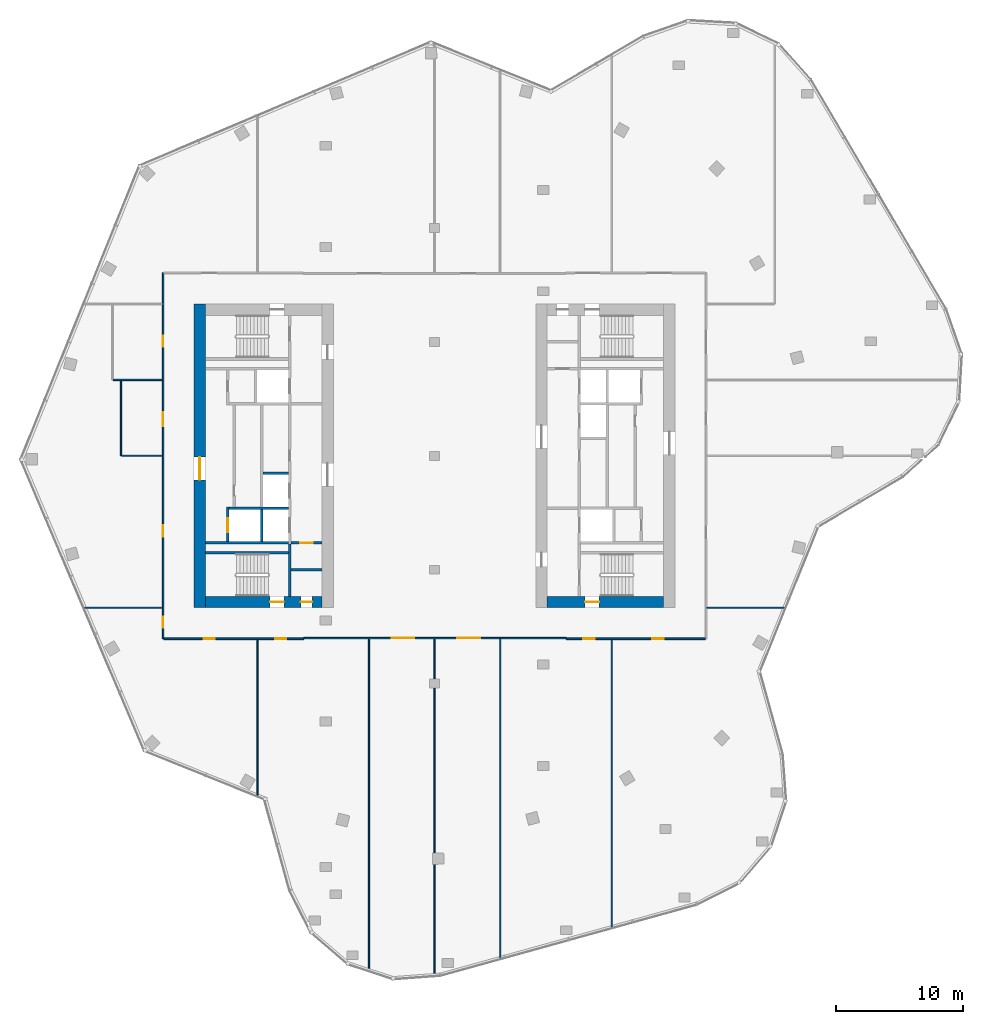
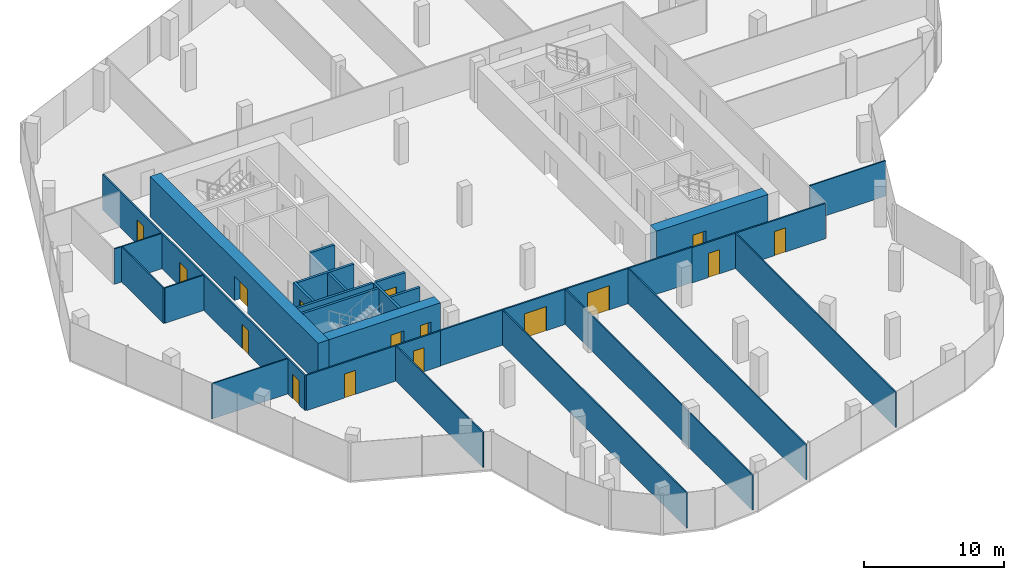
# One storey, part 12 of 16: 26 walls, 16 doors, 16 openings.
"""IFC4 building model written with IfcOpenShell, lengths in metres."""

from ifc_helpers import new_model, si_unit, direction, frame, frame_2d, origin, place, context, subcontext, project, spatial, rectangle, extrude, material, layer, layer_set, type_object, element, fill, save


model = new_model("IFC4")

# Units and contexts
model_context = context("Model", 3, precision=1e-05, world=origin(), true_north=direction((0.0, 1.0)))
body_context = subcontext(model_context, "Body", "Model", "MODEL_VIEW")
ifc_project = project(units=[si_unit("LENGTHUNIT", "METRE"), si_unit("AREAUNIT", "SQUARE_METRE"), si_unit("VOLUMEUNIT", "CUBIC_METRE"), si_unit("PLANEANGLEUNIT", "RADIAN"), si_unit("MASSUNIT", "GRAM", prefix="KILO")], contexts=[model_context])

# Site, building, storey
site_placement = place(None, origin())
site = spatial("IfcSite", under=ifc_project, at=site_placement, CompositionType="ELEMENT")
building_placement = place(site_placement, origin())
building = spatial("IfcBuilding", under=site, at=building_placement, Name="Orlundy Tower", CompositionType="ELEMENT")
storey_placement = place(building_placement, frame((0.0, 0.0, 282.39990234375)))
storey = spatial("IfcBuildingStorey", under=building, at=storey_placement, Name="L75", CompositionType="ELEMENT", Elevation=282.39990234375)

# Wall, openings, doors
ifc_material_1 = material(Name="Concrete C50/60", Category="concrete")
ifc_layer_1 = layer(ifc_material_1, 0.89990234375)
ifc_layer_set_1 = layer_set([ifc_layer_1], Name="CORE WALL 900 C50/60")
wall_type_1 = type_object("IfcWallType", Name="CORE WALL 900 C50/60", PredefinedType="SHEAR", material=ifc_layer_set_1)
wall_1_placement = place(storey_placement, frame((-18.10009765625, -11.550048828125, 0.0), z_axis=(0.0, 0.0, 1.0), x_axis=(1.0, 0.0, 0.0)))
wall_1 = element("IfcWall", 1, at=wall_1_placement, inside=storey, type_object=wall_type_1, Name="Core wall W-S L75", PredefinedType="SHEAR", context=body_context, shape_type="SweptSolid", body=[
    extrude(rectangle(XDim=9.2001953125, YDim=0.89990234375, at=frame_2d((4.60009765625, 0.0))), origin(), (0.0, 0.0, 1.0), 3.5),
])
opening_1_placement = place(wall_1_placement, frame((5.10009765625, 0.0, 0.0)))
opening_1 = element("IfcOpeningElement", 2, at=opening_1_placement, cuts=wall_1, Name="Opening 57012", PredefinedType="OPENING", context=body_context, shape_type="SweptSolid", body=[
    extrude(rectangle(XDim=1.10009765625, YDim=2.10009765625, at=frame_2d((0.550048828125, 1.050048828125))), frame((0.0, 0.4599609375, 0.0), z_axis=(0.0, -1.0, 0.0), x_axis=(1.0, 0.0, 0.0)), (0.0, 0.0, 1.0), 0.919921875),
])
opening_2_placement = place(wall_1_placement, frame((7.530029296875, 0.0, 0.0)))
opening_2 = element("IfcOpeningElement", 3, at=opening_2_placement, cuts=wall_1, Name="Opening 57014", PredefinedType="OPENING", context=body_context, shape_type="SweptSolid", body=[
    extrude(rectangle(XDim=0.89990234375, YDim=2.10009765625, at=frame_2d((0.449951171875, 1.050048828125))), frame((0.0, 0.4599609375, 0.0), z_axis=(0.0, -1.0, 0.0), x_axis=(1.0, 0.0, 0.0)), (0.0, 0.0, 1.0), 0.919921875),
])
ifc_material_2 = material(Name="Timber door set", Category="wood")
door_type_1 = type_object("IfcDoorType", Name="Room Door 900x2100", OperationType="SINGLE_SWING_LEFT", PredefinedType="DOOR", material=ifc_material_2)
door_1_placement = place(opening_2_placement, origin())
door_1 = element("IfcDoor", 4, at=door_1_placement, inside=storey, type_object=door_type_1, Name="Store door 57014", OperationType="SINGLE_SWING_RIGHT", OverallHeight=2.10009765625, OverallWidth=0.89990234375, PredefinedType="DOOR", context=body_context, shape_type="SweptSolid", body=[
    extrude(rectangle(XDim=0.89990234375, YDim=2.10009765625, at=frame_2d((0.449951171875, 1.050048828125))), frame((0.0, 0.02490234375, 0.0), z_axis=(0.0, -1.0, 0.0), x_axis=(1.0, 0.0, 0.0)), (0.0, 0.0, 1.0), 0.050048828125),
])
fill(opening_2, door_1)
ifc_material_3 = material(Name="Steel door set", Category="steel")
door_type_2 = type_object("IfcDoorType", Name="Stair Door 1100x2100", OperationType="SINGLE_SWING_LEFT", PredefinedType="DOOR", material=ifc_material_3)
door_2_placement = place(opening_1_placement, origin())
door_2 = element("IfcDoor", 5, at=door_2_placement, inside=storey, type_object=door_type_2, Name="Stair door 57012", OperationType="SINGLE_SWING_RIGHT", OverallHeight=2.10009765625, OverallWidth=1.10009765625, PredefinedType="DOOR", context=body_context, shape_type="SweptSolid", body=[
    extrude(rectangle(XDim=1.10009765625, YDim=2.10009765625, at=frame_2d((0.550048828125, 1.050048828125))), frame((0.0, 0.02490234375, 0.0), z_axis=(0.0, -1.0, 0.0), x_axis=(1.0, 0.0, 0.0)), (0.0, 0.0, 1.0), 0.050048828125),
])
fill(opening_1, door_2)

# Wall, opening, door
wall_2_placement = place(storey_placement, frame((-18.550048828125, -12.0, 0.0), z_axis=(0.0, 0.0, 1.0), x_axis=(0.0, 1.0, 0.0)))
wall_2 = element("IfcWall", 6, at=wall_2_placement, inside=storey, type_object=wall_type_1, Name="Core wall W-W L75", PredefinedType="SHEAR", context=body_context, shape_type="SweptSolid", body=[
    extrude(rectangle(XDim=24.0, YDim=0.89990234375, at=frame_2d((12.0, 0.0))), origin(), (0.0, 0.0, 1.0), 3.5),
])
opening_3_placement = place(wall_2_placement, frame((10.10009765625, 0.0, 0.0)))
opening_3 = element("IfcOpeningElement", 7, at=opening_3_placement, cuts=wall_2, Name="Opening 57009", PredefinedType="OPENING", context=body_context, shape_type="SweptSolid", body=[
    extrude(rectangle(XDim=1.800048828125, YDim=2.10009765625, at=frame_2d((0.89990234375, 1.050048828125))), frame((0.0, 0.4599609375, 0.0), z_axis=(0.0, -1.0, 0.0), x_axis=(1.0, 0.0, 0.0)), (0.0, 0.0, 1.0), 0.919921875),
])
ifc_material_4 = material(Name="Timber door set", Category="wood")
door_type_3 = type_object("IfcDoorType", Name="Lobby Door 1800x2100", OperationType="DOUBLE_DOOR_DOUBLE_SWING", PredefinedType="DOOR", material=ifc_material_4)
door_3_placement = place(opening_3_placement, origin())
door_3 = element("IfcDoor", 8, at=door_3_placement, inside=storey, type_object=door_type_3, Name="Lift lobby door 57009", OperationType="SINGLE_SWING_LEFT", OverallHeight=2.10009765625, OverallWidth=1.800048828125, PredefinedType="DOOR", context=body_context, shape_type="SweptSolid", body=[
    extrude(rectangle(XDim=1.800048828125, YDim=2.10009765625, at=frame_2d((0.89990234375, 1.050048828125))), frame((0.0, 0.02490234375, 0.0), z_axis=(0.0, -1.0, 0.0), x_axis=(1.0, 0.0, 0.0)), (0.0, 0.0, 1.0), 0.050048828125),
])
fill(opening_3, door_3)

wall_3_placement = place(storey_placement, frame((8.89990234375, -11.550048828125, 0.0), z_axis=(0.0, 0.0, 1.0), x_axis=(1.0, 0.0, 0.0)))
wall_3 = element("IfcWall", 9, at=wall_3_placement, inside=storey, type_object=wall_type_1, Name="Core wall E-S L75", PredefinedType="SHEAR", context=body_context, shape_type="SweptSolid", body=[
    extrude(rectangle(XDim=9.2001953125, YDim=0.89990234375, at=frame_2d((4.60009765625, 0.0))), origin(), (0.0, 0.0, 1.0), 3.5),
])
opening_4_placement = place(wall_3_placement, frame((3.0, 0.0, 0.0)))
opening_4 = element("IfcOpeningElement", 10, at=opening_4_placement, cuts=wall_3, Name="Opening 57060", PredefinedType="OPENING", context=body_context, shape_type="SweptSolid", body=[
    extrude(rectangle(XDim=1.10009765625, YDim=2.10009765625, at=frame_2d((0.550048828125, 1.050048828125))), frame((0.0, 0.4599609375, 0.0), z_axis=(0.0, -1.0, 0.0), x_axis=(1.0, 0.0, 0.0)), (0.0, 0.0, 1.0), 0.919921875),
])
door_4_placement = place(opening_4_placement, origin())
door_4 = element("IfcDoor", 11, at=door_4_placement, inside=storey, type_object=door_type_2, Name="Stair door 57060", OperationType="SINGLE_SWING_LEFT", OverallHeight=2.10009765625, OverallWidth=1.10009765625, PredefinedType="DOOR", context=body_context, shape_type="SweptSolid", body=[
    extrude(rectangle(XDim=1.10009765625, YDim=2.10009765625, at=frame_2d((0.550048828125, 1.050048828125))), frame((0.0, 0.02490234375, 0.0), z_axis=(0.0, -1.0, 0.0), x_axis=(1.0, 0.0, 0.0)), (0.0, 0.0, 1.0), 0.050048828125),
])
fill(opening_4, door_4)

# Walls
ifc_material_5 = material(Name="Gypsum board partition")
ifc_layer_2 = layer(ifc_material_5, 0.10009765625)
ifc_layer_set_2 = layer_set([ifc_layer_2], Name="Floor partition 100")
wall_type_2 = type_object("IfcWallType", Name="Floor partition 100", PredefinedType="PARTITIONING", material=ifc_layer_set_2)
wall_4_placement = place(storey_placement, frame((-27.76904296875, -12.0, 0.0), z_axis=(0.0, 0.0, 1.0), x_axis=(1.0, 0.0, 0.0)))
element("IfcWall", 12, at=wall_4_placement, inside=storey, type_object=wall_type_2, Name="wall-int-L75-004", PredefinedType="PARTITIONING", context=body_context, shape_type="SweptSolid", body=[
    extrude(rectangle(XDim=6.257080078125, YDim=0.10009765625, at=frame_2d((3.12841796875, 0.0))), origin(), (0.0, 0.0, 1.0), 3.080078125),
])
wall_5_placement = place(storey_placement, frame((21.511962890625, -12.0, 0.0), z_axis=(0.0, 0.0, 1.0), x_axis=(1.0, 0.0, 0.0)))
element("IfcWall", 13, at=wall_5_placement, inside=storey, type_object=wall_type_2, Name="wall-int-L75-005", PredefinedType="PARTITIONING", context=body_context, shape_type="SweptSolid", body=[
    extrude(rectangle(XDim=6.26611328125, YDim=0.10009765625, at=frame_2d((3.133056640625, 0.0))), origin(), (0.0, 0.0, 1.0), 3.080078125),
])
wall_6_placement = place(storey_placement, frame((-24.73095703125, 0.0009765625, 0.0), z_axis=(0.0, 0.0, 1.0), x_axis=(1.0, 0.0, 0.0)))
element("IfcWall", 14, at=wall_6_placement, inside=storey, type_object=wall_type_2, Name="wall-int-L75-006", PredefinedType="PARTITIONING", context=body_context, shape_type="SweptSolid", body=[
    extrude(rectangle(XDim=3.218994140625, YDim=0.10009765625, at=frame_2d((1.609375, 0.0))), origin(), (0.0, 0.0, 1.0), 3.080078125),
])
wall_7_placement = place(storey_placement, frame((-25.39794921875, 6.0009765625, 0.0), z_axis=(0.0, 0.0, 1.0), x_axis=(1.0, 0.0, 0.0)))
element("IfcWall", 15, at=wall_7_placement, inside=storey, type_object=wall_type_2, Name="wall-int-L75-008", PredefinedType="PARTITIONING", context=body_context, shape_type="SweptSolid", body=[
    extrude(rectangle(XDim=3.885986328125, YDim=0.10009765625, at=frame_2d((1.94287109375, 0.0))), origin(), (0.0, 0.0, 1.0), 3.080078125),
])
wall_8_placement = place(storey_placement, frame((14.0, -37.366943359375, 0.0), z_axis=(0.0, 0.0, 1.0), x_axis=(0.0, 1.0, 0.0)))
element("IfcWall", 16, at=wall_8_placement, inside=storey, type_object=wall_type_2, Name="wall-int-L75-017", PredefinedType="PARTITIONING", context=body_context, shape_type="SweptSolid", body=[
    extrude(rectangle(XDim=22.85302734375, YDim=0.10009765625, at=frame_2d((11.426513671875, 0.0))), origin(), (0.0, 0.0, 1.0), 3.080078125),
])
wall_9_placement = place(storey_placement, frame((5.196044921875, -39.80810546875, 0.0), z_axis=(0.0, 0.0, 1.0), x_axis=(0.0, 1.0, 0.0)))
element("IfcWall", 17, at=wall_9_placement, inside=storey, type_object=wall_type_2, Name="wall-int-L75-019", PredefinedType="PARTITIONING", context=body_context, shape_type="SweptSolid", body=[
    extrude(rectangle(XDim=25.34521484375, YDim=0.10009765625, at=frame_2d((12.672607421875, 0.0))), origin(), (0.0, 0.0, 1.0), 3.080078125),
])
wall_10_placement = place(storey_placement, frame((0.0, -41.152099609375, 0.0), z_axis=(0.0, 0.0, 1.0), x_axis=(0.0, 1.0, 0.0)))
element("IfcWall", 18, at=wall_10_placement, inside=storey, type_object=wall_type_2, Name="wall-int-L75-021", PredefinedType="PARTITIONING", context=body_context, shape_type="SweptSolid", body=[
    extrude(rectangle(XDim=26.689208984375, YDim=0.10009765625, at=frame_2d((13.3447265625, 0.0))), origin(), (0.0, 0.0, 1.0), 3.080078125),
])
wall_11_placement = place(storey_placement, frame((-5.174072265625, -40.77587890625, 0.0), z_axis=(0.0, 0.0, 1.0), x_axis=(0.0, 1.0, 0.0)))
element("IfcWall", 19, at=wall_11_placement, inside=storey, type_object=wall_type_2, Name="wall-int-L75-023", PredefinedType="PARTITIONING", context=body_context, shape_type="SweptSolid", body=[
    extrude(rectangle(XDim=26.31298828125, YDim=0.10009765625, at=frame_2d((13.156494140625, 0.0))), origin(), (0.0, 0.0, 1.0), 3.080078125),
])
wall_12_placement = place(storey_placement, frame((-14.0, -26.968994140625, 0.0), z_axis=(0.0, 0.0, 1.0), x_axis=(0.0, 1.0, 0.0)))
element("IfcWall", 20, at=wall_12_placement, inside=storey, type_object=wall_type_2, Name="wall-int-L75-024", PredefinedType="PARTITIONING", context=body_context, shape_type="SweptSolid", body=[
    extrude(rectangle(XDim=12.455078125, YDim=0.10009765625, at=frame_2d((6.2275390625, 0.0))), origin(), (0.0, 0.0, 1.0), 3.080078125),
])
wall_13_placement = place(storey_placement, frame((-24.781982421875, 0.001953125, 0.0), z_axis=(0.0, 0.0, 1.0), x_axis=(0.0, 1.0, 0.0)))
element("IfcWall", 21, at=wall_13_placement, inside=storey, type_object=wall_type_2, Name="wall-int-L75-027", PredefinedType="PARTITIONING", context=body_context, shape_type="SweptSolid", body=[
    extrude(rectangle(XDim=5.948974609375, YDim=0.10009765625, at=frame_2d((2.974609375, 0.0))), origin(), (0.0, 0.0, 1.0), 3.080078125),
])

# Wall, openings, doors
ifc_material_6 = material(Name="Gypsum board partition, double layer")
ifc_layer_3 = layer(ifc_material_6, 0.125)
ifc_layer_set_3 = layer_set([ifc_layer_3], Name="Floor partition 125")
wall_type_3 = type_object("IfcWallType", Name="Floor partition 125", PredefinedType="PARTITIONING", material=ifc_layer_set_3)
wall_14_placement = place(storey_placement, frame((-10.35009765625, -14.450927734375, 0.0), z_axis=(0.0, 0.0, 1.0), x_axis=(-1.0, 0.0, 0.0)))
wall_14 = element("IfcWall", 22, at=wall_14_placement, inside=storey, type_object=wall_type_3, Name="wall-int-L75-001", PredefinedType="PARTITIONING", context=body_context, shape_type="SweptSolid", body=[
    extrude(rectangle(XDim=11.036865234375, YDim=0.125, at=frame_2d((5.5185546875, 0.0))), origin(), (0.0, 0.0, 1.0), 3.080078125),
])
opening_5_placement = place(wall_14_placement, frame((7.0, 0.0, 0.0)))
opening_5 = element("IfcOpeningElement", 23, at=opening_5_placement, cuts=wall_14, Name="Opening 57102", PredefinedType="OPENING", context=body_context, shape_type="SweptSolid", body=[
    extrude(rectangle(XDim=0.89990234375, YDim=2.10009765625, at=frame_2d((0.449951171875, 1.050048828125))), frame((0.0, 0.072509765625, 0.0), z_axis=(0.0, -1.0, 0.0), x_axis=(1.0, 0.0, 0.0)), (0.0, 0.0, 1.0), 0.14501953125),
])
opening_6_placement = place(wall_14_placement, frame((1.35009765625, 0.0, 0.0)))
opening_6 = element("IfcOpeningElement", 24, at=opening_6_placement, cuts=wall_14, Name="Opening 57103", PredefinedType="OPENING", context=body_context, shape_type="SweptSolid", body=[
    extrude(rectangle(XDim=0.89990234375, YDim=2.10009765625, at=frame_2d((0.449951171875, 1.050048828125))), frame((0.0, 0.072509765625, 0.0), z_axis=(0.0, -1.0, 0.0), x_axis=(1.0, 0.0, 0.0)), (0.0, 0.0, 1.0), 0.14501953125),
])
ifc_material_7 = material(Name="Timber door leaf", Category="wood")
door_type_4 = type_object("IfcDoorType", Name="Floor door single 900 FD30S", OperationType="NOTDEFINED", PredefinedType="DOOR", material=ifc_material_7)
door_5_placement = place(opening_5_placement, origin())
door_5 = element("IfcDoor", 25, at=door_5_placement, inside=storey, type_object=door_type_4, Name="Door 57102", OperationType="SINGLE_SWING_RIGHT", OverallHeight=2.10009765625, OverallWidth=0.89990234375, PredefinedType="DOOR", context=body_context, shape_type="SweptSolid", body=[
    extrude(rectangle(XDim=0.89990234375, YDim=2.10009765625, at=frame_2d((0.449951171875, 1.050048828125))), frame((0.0, 0.02490234375, 0.0), z_axis=(0.0, -1.0, 0.0), x_axis=(1.0, 0.0, 0.0)), (0.0, 0.0, 1.0), 0.050048828125),
])
fill(opening_5, door_5)
door_6_placement = place(opening_6_placement, origin())
door_6 = element("IfcDoor", 26, at=door_6_placement, inside=storey, type_object=door_type_4, Name="Door 57103", OperationType="SINGLE_SWING_LEFT", OverallHeight=2.10009765625, OverallWidth=0.89990234375, PredefinedType="DOOR", context=body_context, shape_type="SweptSolid", body=[
    extrude(rectangle(XDim=0.89990234375, YDim=2.10009765625, at=frame_2d((0.449951171875, 1.050048828125))), frame((0.0, 0.02490234375, 0.0), z_axis=(0.0, -1.0, 0.0), x_axis=(1.0, 0.0, 0.0)), (0.0, 0.0, 1.0), 0.050048828125),
])
fill(opening_6, door_6)

wall_15_placement = place(storey_placement, frame((21.386962890625, -14.450927734375, 0.0), z_axis=(0.0, 0.0, 1.0), x_axis=(-1.0, 0.0, 0.0)))
wall_15 = element("IfcWall", 27, at=wall_15_placement, inside=storey, type_object=wall_type_3, Name="wall-int-L75-002", PredefinedType="PARTITIONING", context=body_context, shape_type="SweptSolid", body=[
    extrude(rectangle(XDim=10.995849609375, YDim=0.125, at=frame_2d((5.498046875, 0.0))), origin(), (0.0, 0.0, 1.0), 3.080078125),
])
opening_7_placement = place(wall_15_placement, frame((8.737548828125, 0.0, 0.0)))
opening_7 = element("IfcOpeningElement", 28, at=opening_7_placement, cuts=wall_15, Name="Opening 57106", PredefinedType="OPENING", context=body_context, shape_type="SweptSolid", body=[
    extrude(rectangle(XDim=0.89990234375, YDim=2.10009765625, at=frame_2d((0.449951171875, 1.050048828125))), frame((0.0, 0.072509765625, 0.0), z_axis=(0.0, -1.0, 0.0), x_axis=(1.0, 0.0, 0.0)), (0.0, 0.0, 1.0), 0.14501953125),
])
opening_8_placement = place(wall_15_placement, frame((3.28759765625, 0.0, 0.0)))
opening_8 = element("IfcOpeningElement", 29, at=opening_8_placement, cuts=wall_15, Name="Opening 57107", PredefinedType="OPENING", context=body_context, shape_type="SweptSolid", body=[
    extrude(rectangle(XDim=0.89990234375, YDim=2.10009765625, at=frame_2d((0.449951171875, 1.050048828125))), frame((0.0, 0.072509765625, 0.0), z_axis=(0.0, -1.0, 0.0), x_axis=(1.0, 0.0, 0.0)), (0.0, 0.0, 1.0), 0.14501953125),
])
door_7_placement = place(opening_7_placement, origin())
door_7 = element("IfcDoor", 30, at=door_7_placement, inside=storey, type_object=door_type_4, Name="Door 57106", OperationType="SINGLE_SWING_RIGHT", OverallHeight=2.10009765625, OverallWidth=0.89990234375, PredefinedType="DOOR", context=body_context, shape_type="SweptSolid", body=[
    extrude(rectangle(XDim=0.89990234375, YDim=2.10009765625, at=frame_2d((0.449951171875, 1.050048828125))), frame((0.0, 0.02490234375, 0.0), z_axis=(0.0, -1.0, 0.0), x_axis=(1.0, 0.0, 0.0)), (0.0, 0.0, 1.0), 0.050048828125),
])
fill(opening_7, door_7)
door_8_placement = place(opening_8_placement, origin())
door_8 = element("IfcDoor", 31, at=door_8_placement, inside=storey, type_object=door_type_4, Name="Door 57107", OperationType="SINGLE_SWING_LEFT", OverallHeight=2.10009765625, OverallWidth=0.89990234375, PredefinedType="DOOR", context=body_context, shape_type="SweptSolid", body=[
    extrude(rectangle(XDim=0.89990234375, YDim=2.10009765625, at=frame_2d((0.449951171875, 1.050048828125))), frame((0.0, 0.02490234375, 0.0), z_axis=(0.0, -1.0, 0.0), x_axis=(1.0, 0.0, 0.0)), (0.0, 0.0, 1.0), 0.050048828125),
])
fill(opening_8, door_8)

wall_16_placement = place(storey_placement, frame((10.39111328125, -14.40087890625, 0.0), z_axis=(0.0, 0.0, 1.0), x_axis=(-1.0, 0.0, 0.0)))
wall_16 = element("IfcWall", 32, at=wall_16_placement, inside=storey, type_object=wall_type_3, Name="wall-int-L75-003", PredefinedType="PARTITIONING", context=body_context, shape_type="SweptSolid", body=[
    extrude(rectangle(XDim=20.740234375, YDim=0.125, at=frame_2d((10.3701171875, 0.0))), origin(), (0.0, 0.0, 1.0), 3.080078125),
])
opening_9_placement = place(wall_16_placement, frame((11.990966796875, 0.0, 0.0)))
opening_9 = element("IfcOpeningElement", 33, at=opening_9_placement, cuts=wall_16, Name="Opening 57104", PredefinedType="OPENING", context=body_context, shape_type="SweptSolid", body=[
    extrude(rectangle(XDim=1.800048828125, YDim=2.10009765625, at=frame_2d((0.89990234375, 1.050048828125))), frame((0.0, 0.072509765625, 0.0), z_axis=(0.0, -1.0, 0.0), x_axis=(1.0, 0.0, 0.0)), (0.0, 0.0, 1.0), 0.14501953125),
])
opening_10_placement = place(wall_16_placement, frame((6.794921875, 0.0, 0.0)))
opening_10 = element("IfcOpeningElement", 34, at=opening_10_placement, cuts=wall_16, Name="Opening 57105", PredefinedType="OPENING", context=body_context, shape_type="SweptSolid", body=[
    extrude(rectangle(XDim=1.800048828125, YDim=2.10009765625, at=frame_2d((0.89990234375, 1.050048828125))), frame((0.0, 0.072509765625, 0.0), z_axis=(0.0, -1.0, 0.0), x_axis=(1.0, 0.0, 0.0)), (0.0, 0.0, 1.0), 0.14501953125),
])
ifc_material_8 = material(Name="Timber door leaf", Category="wood")
door_type_5 = type_object("IfcDoorType", Name="Floor door double 1800 FD30S", OperationType="NOTDEFINED", PredefinedType="DOOR", material=ifc_material_8)
door_9_placement = place(opening_9_placement, origin())
door_9 = element("IfcDoor", 35, at=door_9_placement, inside=storey, type_object=door_type_5, Name="Door 57104", OperationType="DOUBLE_DOOR_SINGLE_SWING", OverallHeight=2.10009765625, OverallWidth=1.800048828125, PredefinedType="DOOR", context=body_context, shape_type="SweptSolid", body=[
    extrude(rectangle(XDim=1.800048828125, YDim=2.10009765625, at=frame_2d((0.89990234375, 1.050048828125))), frame((0.0, 0.02490234375, 0.0), z_axis=(0.0, -1.0, 0.0), x_axis=(1.0, 0.0, 0.0)), (0.0, 0.0, 1.0), 0.050048828125),
])
fill(opening_9, door_9)
door_10_placement = place(opening_10_placement, origin())
door_10 = element("IfcDoor", 36, at=door_10_placement, inside=storey, type_object=door_type_5, Name="Door 57105", OperationType="DOUBLE_DOOR_SINGLE_SWING", OverallHeight=2.10009765625, OverallWidth=1.800048828125, PredefinedType="DOOR", context=body_context, shape_type="SweptSolid", body=[
    extrude(rectangle(XDim=1.800048828125, YDim=2.10009765625, at=frame_2d((0.89990234375, 1.050048828125))), frame((0.0, 0.02490234375, 0.0), z_axis=(0.0, -1.0, 0.0), x_axis=(1.0, 0.0, 0.0)), (0.0, 0.0, 1.0), 0.050048828125),
])
fill(opening_10, door_10)

wall_17_placement = place(storey_placement, frame((-21.449951171875, -14.450927734375, 0.0), z_axis=(0.0, 0.0, 1.0), x_axis=(0.0, 1.0, 0.0)))
wall_17 = element("IfcWall", 37, at=wall_17_placement, inside=storey, type_object=wall_type_3, Name="wall-int-L75-026", PredefinedType="PARTITIONING", context=body_context, shape_type="SweptSolid", body=[
    extrude(rectangle(XDim=28.90185546875, YDim=0.125, at=frame_2d((14.450927734375, 0.0))), origin(), (0.0, 0.0, 1.0), 3.080078125),
])
opening_11_placement = place(wall_17_placement, frame((8.051025390625, 0.0, 0.0)))
opening_11 = element("IfcOpeningElement", 38, at=opening_11_placement, cuts=wall_17, Name="Opening 57100", PredefinedType="OPENING", context=body_context, shape_type="SweptSolid", body=[
    extrude(rectangle(XDim=0.89990234375, YDim=2.10009765625, at=frame_2d((0.449951171875, 1.050048828125))), frame((0.0, 0.072509765625, 0.0), z_axis=(0.0, -1.0, 0.0), x_axis=(1.0, 0.0, 0.0)), (0.0, 0.0, 1.0), 0.14501953125),
])
opening_12_placement = place(wall_17_placement, frame((0.85009765625, 0.0, 0.0)))
opening_12 = element("IfcOpeningElement", 39, at=opening_12_placement, cuts=wall_17, Name="Opening 57101", PredefinedType="OPENING", context=body_context, shape_type="SweptSolid", body=[
    extrude(rectangle(XDim=0.89990234375, YDim=2.10009765625, at=frame_2d((0.449951171875, 1.050048828125))), frame((0.0, 0.072509765625, 0.0), z_axis=(0.0, -1.0, 0.0), x_axis=(1.0, 0.0, 0.0)), (0.0, 0.0, 1.0), 0.14501953125),
])
opening_13_placement = place(wall_17_placement, frame((23.052001953125, 0.0, 0.0)))
opening_13 = element("IfcOpeningElement", 40, at=opening_13_placement, cuts=wall_17, Name="Opening 57116", PredefinedType="OPENING", context=body_context, shape_type="SweptSolid", body=[
    extrude(rectangle(XDim=0.89990234375, YDim=2.10009765625, at=frame_2d((0.449951171875, 1.050048828125))), frame((0.0, 0.072509765625, 0.0), z_axis=(0.0, -1.0, 0.0), x_axis=(1.0, 0.0, 0.0)), (0.0, 0.0, 1.0), 0.14501953125),
])
opening_14_placement = place(wall_17_placement, frame((16.802978515625, 0.0, 0.0)))
opening_14 = element("IfcOpeningElement", 41, at=opening_14_placement, cuts=wall_17, Name="Opening 57117", PredefinedType="OPENING", context=body_context, shape_type="SweptSolid", body=[
    extrude(rectangle(XDim=1.10009765625, YDim=2.10009765625, at=frame_2d((0.550048828125, 1.050048828125))), frame((0.0, 0.072509765625, 0.0), z_axis=(0.0, -1.0, 0.0), x_axis=(1.0, 0.0, 0.0)), (0.0, 0.0, 1.0), 0.14501953125),
])
door_11_placement = place(opening_11_placement, origin())
door_11 = element("IfcDoor", 42, at=door_11_placement, inside=storey, type_object=door_type_4, Name="Door 57100", OperationType="SINGLE_SWING_LEFT", OverallHeight=2.10009765625, OverallWidth=0.89990234375, PredefinedType="DOOR", context=body_context, shape_type="SweptSolid", body=[
    extrude(rectangle(XDim=0.89990234375, YDim=2.10009765625, at=frame_2d((0.449951171875, 1.050048828125))), frame((0.0, 0.02490234375, 0.0), z_axis=(0.0, -1.0, 0.0), x_axis=(1.0, 0.0, 0.0)), (0.0, 0.0, 1.0), 0.050048828125),
])
fill(opening_11, door_11)
door_12_placement = place(opening_12_placement, origin())
door_12 = element("IfcDoor", 43, at=door_12_placement, inside=storey, type_object=door_type_4, Name="Door 57101", OperationType="SINGLE_SWING_LEFT", OverallHeight=2.10009765625, OverallWidth=0.89990234375, PredefinedType="DOOR", context=body_context, shape_type="SweptSolid", body=[
    extrude(rectangle(XDim=0.89990234375, YDim=2.10009765625, at=frame_2d((0.449951171875, 1.050048828125))), frame((0.0, 0.02490234375, 0.0), z_axis=(0.0, -1.0, 0.0), x_axis=(1.0, 0.0, 0.0)), (0.0, 0.0, 1.0), 0.050048828125),
])
fill(opening_12, door_12)
door_13_placement = place(opening_13_placement, origin())
door_13 = element("IfcDoor", 44, at=door_13_placement, inside=storey, type_object=door_type_4, Name="Door 57116", OperationType="SINGLE_SWING_RIGHT", OverallHeight=2.10009765625, OverallWidth=0.89990234375, PredefinedType="DOOR", context=body_context, shape_type="SweptSolid", body=[
    extrude(rectangle(XDim=0.89990234375, YDim=2.10009765625, at=frame_2d((0.449951171875, 1.050048828125))), frame((0.0, 0.02490234375, 0.0), z_axis=(0.0, -1.0, 0.0), x_axis=(1.0, 0.0, 0.0)), (0.0, 0.0, 1.0), 0.050048828125),
])
fill(opening_13, door_13)
ifc_material_9 = material(Name="Timber door leaf", Category="wood")
door_type_6 = type_object("IfcDoorType", Name="Floor door xwide 1100 FD30S", OperationType="NOTDEFINED", PredefinedType="DOOR", material=ifc_material_9)
door_14_placement = place(opening_14_placement, origin())
door_14 = element("IfcDoor", 45, at=door_14_placement, inside=storey, type_object=door_type_6, Name="Door 57117", OperationType="SINGLE_SWING_RIGHT", OverallHeight=2.10009765625, OverallWidth=1.10009765625, PredefinedType="DOOR", context=body_context, shape_type="SweptSolid", body=[
    extrude(rectangle(XDim=1.10009765625, YDim=2.10009765625, at=frame_2d((0.550048828125, 1.050048828125))), frame((0.0, 0.02490234375, 0.0), z_axis=(0.0, -1.0, 0.0), x_axis=(1.0, 0.0, 0.0)), (0.0, 0.0, 1.0), 0.050048828125),
])
fill(opening_14, door_14)

# Walls
ifc_material_10 = material(Name="Concrete C40/50", Category="concrete")
ifc_layer_4 = layer(ifc_material_10, 0.199951171875)
ifc_layer_set_4 = layer_set([ifc_layer_4], Name="Load-bearing Shaft Wall 200")
wall_type_4 = type_object("IfcWallType", Name="Load-bearing Shaft Wall 200", PredefinedType="SOLIDWALL", material=ifc_layer_set_4)
wall_18_placement = place(storey_placement, frame((-11.43994140625, -11.10009765625, 0.0), z_axis=(0.0, 0.0, 1.0), x_axis=(0.0, 1.0, 0.0)))
element("IfcWall", 46, at=wall_18_placement, inside=storey, type_object=wall_type_4, Name="Shaft wall W57-stair-end-s", PredefinedType="SOLIDWALL", context=body_context, shape_type="SweptSolid", body=[
    extrude(rectangle(XDim=4.125, YDim=0.199951171875, at=frame_2d((2.0625, 0.0))), origin(), (0.0, 0.0, 1.0), 3.090087890625),
])
wall_19_placement = place(storey_placement, frame((-11.5400390625, -7.64990234375, 0.0), z_axis=(0.0, 0.0, 1.0), x_axis=(-1.0, 0.0, 0.0)))
element("IfcWall", 47, at=wall_19_placement, inside=storey, type_object=wall_type_4, Name="Shaft wall W57-stair-side-s", PredefinedType="SOLIDWALL", context=body_context, shape_type="SweptSolid", body=[
    extrude(rectangle(XDim=6.56005859375, YDim=0.199951171875, at=frame_2d((3.280029296875, 0.0))), origin(), (0.0, 0.0, 1.0), 3.090087890625),
])

# Wall, opening, door
ifc_material_11 = material(Name="Gypsum board partition on steel studs", Category="steel")
ifc_layer_5 = layer(ifc_material_11, 0.199951171875)
ifc_layer_set_5 = layer_set([ifc_layer_5], Name="Partition 200")
wall_type_5 = type_object("IfcWallType", Name="Partition 200", PredefinedType="PARTITIONING", material=ifc_layer_set_5)
wall_20_placement = place(storey_placement, frame((-8.89990234375, -6.875, 0.0), z_axis=(0.0, 0.0, 1.0), x_axis=(-1.0, 0.0, 0.0)))
wall_20 = element("IfcWall", 48, at=wall_20_placement, inside=storey, type_object=wall_type_5, Name="Partition wall W57-end-s", PredefinedType="PARTITIONING", context=body_context, shape_type="SweptSolid", body=[
    extrude(rectangle(XDim=2.440185546875, YDim=0.199951171875, at=frame_2d((1.22021484375, 0.0))), origin(), (0.0, 0.0, 1.0), 3.090087890625),
])
opening_15_placement = place(wall_20_placement, frame((0.719970703125, 0.0, 0.0)))
opening_15 = element("IfcOpeningElement", 49, at=opening_15_placement, cuts=wall_20, Name="Opening 57015", PredefinedType="OPENING", context=body_context, shape_type="SweptSolid", body=[
    extrude(rectangle(XDim=1.0, YDim=2.10009765625, at=frame_2d((0.5, 1.050048828125))), frame((0.0, 0.110107421875, 0.0), z_axis=(0.0, -1.0, 0.0), x_axis=(1.0, 0.0, 0.0)), (0.0, 0.0, 1.0), 0.22021484375),
])
ifc_material_12 = material(Name="Timber door set", Category="wood")
door_type_7 = type_object("IfcDoorType", Name="Accessible Door 1000x2100", OperationType="SINGLE_SWING_LEFT", PredefinedType="DOOR", material=ifc_material_12)
door_15_placement = place(opening_15_placement, origin())
door_15 = element("IfcDoor", 50, at=door_15_placement, inside=storey, type_object=door_type_7, Name="Accessible WC door 57015", OperationType="SINGLE_SWING_RIGHT", OverallHeight=2.10009765625, OverallWidth=1.0, PredefinedType="DOOR", context=body_context, shape_type="SweptSolid", body=[
    extrude(rectangle(XDim=1.0, YDim=2.10009765625, at=frame_2d((0.5, 1.050048828125))), frame((0.0, 0.02490234375, 0.0), z_axis=(0.0, -1.0, 0.0), x_axis=(1.0, 0.0, 0.0)), (0.0, 0.0, 1.0), 0.050048828125),
])
fill(opening_15, door_15)

# Walls
wall_21_placement = place(storey_placement, frame((-8.89990234375, -9.0, 0.0), z_axis=(0.0, 0.0, 1.0), x_axis=(-1.0, 0.0, 0.0)))
element("IfcWall", 51, at=wall_21_placement, inside=storey, type_object=wall_type_5, Name="Partition wall W57-room-s0", PredefinedType="PARTITIONING", context=body_context, shape_type="SweptSolid", body=[
    extrude(rectangle(XDim=2.440185546875, YDim=0.199951171875, at=frame_2d((1.22021484375, 0.0))), origin(), (0.0, 0.0, 1.0), 3.090087890625),
])
ifc_material_13 = material(Name="Fire-rated blockwork shaft wall", Category="masonry")
ifc_layer_6 = layer(ifc_material_13, 0.199951171875)
ifc_layer_set_6 = layer_set([ifc_layer_6], Name="Shaft Wall 200")
wall_type_6 = type_object("IfcWallType", Name="Shaft Wall 200", PredefinedType="SOLIDWALL", material=ifc_layer_set_6)
wall_22_placement = place(storey_placement, frame((-11.5400390625, -6.875, 0.0), z_axis=(0.0, 0.0, 1.0), x_axis=(-1.0, 0.0, 0.0)))
element("IfcWall", 52, at=wall_22_placement, inside=storey, type_object=wall_type_6, Name="Shaft wall W57-zone-s", PredefinedType="SOLIDWALL", context=body_context, shape_type="SweptSolid", body=[
    extrude(rectangle(XDim=6.56005859375, YDim=0.199951171875, at=frame_2d((3.280029296875, 0.0))), origin(), (0.0, 0.0, 1.0), 3.090087890625),
])
wall_23_placement = place(storey_placement, frame((-11.5400390625, -4.125, 0.0), z_axis=(0.0, 0.0, 1.0), x_axis=(-1.0, 0.0, 0.0)))
element("IfcWall", 53, at=wall_23_placement, inside=storey, type_object=wall_type_6, Name="Shaft wall W57-cross-4.125", PredefinedType="SOLIDWALL", context=body_context, shape_type="SweptSolid", body=[
    extrude(rectangle(XDim=4.699951171875, YDim=0.199951171875, at=frame_2d((2.35009765625, 0.0))), origin(), (0.0, 0.0, 1.0), 3.090087890625),
])
wall_24_placement = place(storey_placement, frame((-11.5400390625, -1.375, 0.0), z_axis=(0.0, 0.0, 1.0), x_axis=(-1.0, 0.0, 0.0)))
element("IfcWall", 54, at=wall_24_placement, inside=storey, type_object=wall_type_6, Name="Shaft wall W57-cross-1.375", PredefinedType="SOLIDWALL", context=body_context, shape_type="SweptSolid", body=[
    extrude(rectangle(XDim=2.0, YDim=0.199951171875, at=frame_2d((1.0, 0.0))), origin(), (0.0, 0.0, 1.0), 3.090087890625),
])
wall_25_placement = place(storey_placement, frame((-13.639892578125, -6.77490234375, 0.0), z_axis=(0.0, 0.0, 1.0), x_axis=(0.0, 1.0, 0.0)))
element("IfcWall", 55, at=wall_25_placement, inside=storey, type_object=wall_type_6, Name="Shaft wall W57-mid-a", PredefinedType="SOLIDWALL", context=body_context, shape_type="SweptSolid", body=[
    extrude(rectangle(XDim=2.5498046875, YDim=0.199951171875, at=frame_2d((1.27490234375, 0.0))), origin(), (0.0, 0.0, 1.0), 3.090087890625),
])

# Wall, opening, door
wall_26_placement = place(storey_placement, frame((-16.340087890625, -6.77490234375, 0.0), z_axis=(0.0, 0.0, 1.0), x_axis=(0.0, 1.0, 0.0)))
wall_26 = element("IfcWall", 56, at=wall_26_placement, inside=storey, type_object=wall_type_6, Name="Shaft wall W57-front-o-a", PredefinedType="SOLIDWALL", context=body_context, shape_type="SweptSolid", body=[
    extrude(rectangle(XDim=2.75, YDim=0.199951171875, at=frame_2d((1.375, 0.0))), origin(), (0.0, 0.0, 1.0), 3.090087890625),
])
opening_16_placement = place(wall_26_placement, frame((0.72509765625, 0.0, 0.0)))
opening_16 = element("IfcOpeningElement", 57, at=opening_16_placement, cuts=wall_26, Name="Opening 57002", PredefinedType="OPENING", context=body_context, shape_type="SweptSolid", body=[
    extrude(rectangle(XDim=1.10009765625, YDim=2.10009765625, at=frame_2d((0.550048828125, 1.050048828125))), frame((0.0, 0.110107421875, 0.0), z_axis=(0.0, -1.0, 0.0), x_axis=(1.0, 0.0, 0.0)), (0.0, 0.0, 1.0), 0.22021484375),
])
ifc_material_14 = material(Name="Steel door set", Category="steel")
door_type_8 = type_object("IfcDoorType", Name="Landing Door 1100x2100", OperationType="DOUBLE_DOOR_SLIDING", PredefinedType="DOOR", material=ifc_material_14)
door_16_placement = place(opening_16_placement, origin())
door_16 = element("IfcDoor", 58, at=door_16_placement, inside=storey, type_object=door_type_8, Name="Lift landing door LV-01 57002", OperationType="DOUBLE_DOOR_SLIDING", OverallHeight=2.10009765625, OverallWidth=1.10009765625, PredefinedType="DOOR", context=body_context, shape_type="SweptSolid", body=[
    extrude(rectangle(XDim=1.10009765625, YDim=2.10009765625, at=frame_2d((0.550048828125, 1.050048828125))), frame((0.0, 0.02490234375, 0.0), z_axis=(0.0, -1.0, 0.0), x_axis=(1.0, 0.0, 0.0)), (0.0, 0.0, 1.0), 0.050048828125),
])
fill(opening_16, door_16)

save(model, "model.ifc")
